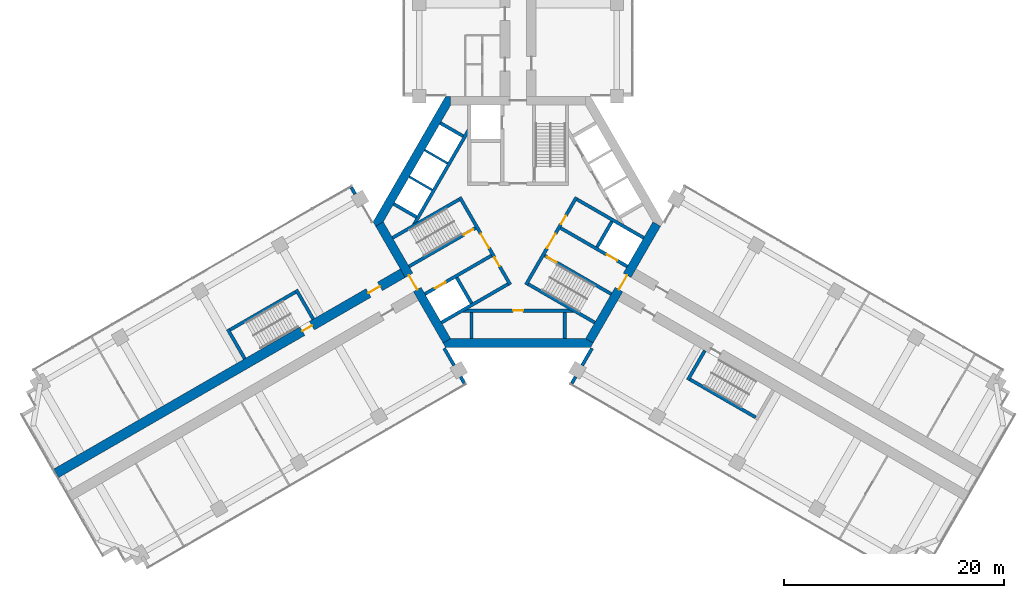
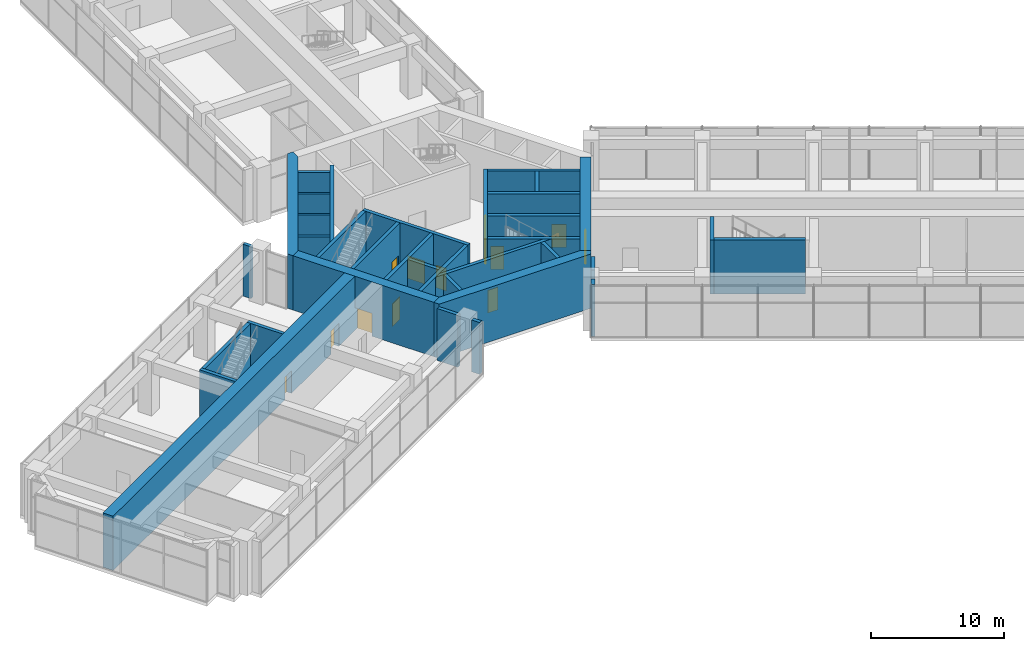
# One storey, part 16 of 20: 35 walls, 13 doors, 13 openings.
"""IFC4 building model written with IfcOpenShell, lengths in metres."""

from ifc_helpers import new_model, si_unit, direction, frame, frame_2d, origin, place, context, subcontext, project, spatial, polyline, rectangle, outline, extrude, material, layer, layer_set, type_object, element, fill, save


model = new_model("IFC4")

# Units and contexts
model_context = context("Model", 3, precision=1e-05, world=origin(), true_north=direction((0.0, 1.0)))
body_context = subcontext(model_context, "Body", "Model", "MODEL_VIEW")
ifc_project = project(units=[si_unit("LENGTHUNIT", "METRE"), si_unit("AREAUNIT", "SQUARE_METRE"), si_unit("VOLUMEUNIT", "CUBIC_METRE"), si_unit("PLANEANGLEUNIT", "RADIAN"), si_unit("MASSUNIT", "GRAM", prefix="KILO")], contexts=[model_context])

# Site, building, storey
site_placement = place(None, origin())
site = spatial("IfcSite", under=ifc_project, at=site_placement, CompositionType="ELEMENT")
building_placement = place(site_placement, origin())
building = spatial("IfcBuilding", under=site, at=building_placement, Name="Impinga Residences", CompositionType="ELEMENT")
storey_placement = place(building_placement, frame((0.0, 0.0, 101.0)))
storey = spatial("IfcBuildingStorey", under=building, at=storey_placement, Name="L24", CompositionType="ELEMENT", Elevation=101.0)

# Wall, openings, doors
ifc_material_1 = material(Name="Concrete C60/75", Category="concrete")
ifc_layer_1 = layer(ifc_material_1, 0.89990234375)
ifc_layer_set_1 = layer_set([ifc_layer_1], Name="Concrete C60/75")
wall_type_1 = type_object("IfcWallType", Name="BW2 corridor buttress wall, L24 to L44 900", PredefinedType="SHEAR", material=ifc_layer_set_1)
wall_1_placement = place(storey_placement, frame((-10.153564453125, -4.4765625, 0.0), z_axis=(0.0, 0.0, 1.0), x_axis=(-0.866025667015, -0.49999954407, 0.0)))
wall_1 = element("IfcWall", 1, at=wall_1_placement, inside=storey, type_object=wall_type_1, Name="Corridor wall BW2 WD L24", PredefinedType="SHEAR", context=body_context, shape_type="SweptSolid", body=[
    extrude(rectangle(XDim=36.837890625, YDim=0.89990234375, at=frame_2d((18.4189453125, 0.0))), origin(), (0.0, 0.0, 1.0), 5.0),
])
opening_1_placement = place(wall_1_placement, frame((9.949951171875, 0.0, 0.0)))
opening_1 = element("IfcOpeningElement", 2, at=opening_1_placement, cuts=wall_1, Name="Opening D5", PredefinedType="OPENING", context=body_context, shape_type="SweptSolid", body=[
    extrude(rectangle(XDim=1.0, YDim=2.10009765625, at=frame_2d((0.5, 1.050048828125))), frame((0.0, 0.4599609375, 0.0), z_axis=(0.0, -1.0, 0.0), x_axis=(1.0, 0.0, 0.0)), (0.0, 0.0, 1.0), 0.919921875),
])
opening_2_placement = place(wall_1_placement, frame((2.800048828125, 0.0, 0.0)))
opening_2 = element("IfcOpeningElement", 3, at=opening_2_placement, cuts=wall_1, Name="Opening D3", PredefinedType="OPENING", context=body_context, shape_type="SweptSolid", body=[
    extrude(rectangle(XDim=1.199951171875, YDim=2.10009765625, at=frame_2d((0.60009765625, 1.050048828125))), frame((0.0, 0.4599609375, 0.0), z_axis=(0.0, -1.0, 0.0), x_axis=(1.0, 0.0, 0.0)), (0.0, 0.0, 1.0), 0.919921875),
])
ifc_material_2 = material(Name="Timber door set", Category="wood")
door_type_1 = type_object("IfcDoorType", Name="D3 room door, leaf and a half 1200x2100", OperationType="DOUBLE_SWING_LEFT", PredefinedType="DOOR", material=ifc_material_2)
door_1_placement = place(opening_2_placement, origin())
door_1 = element("IfcDoor", 4, at=door_1_placement, inside=storey, type_object=door_type_1, Name="Yoga studio door L24-WF1", OperationType="DOUBLE_SWING_LEFT", OverallHeight=2.10009765625, OverallWidth=1.199951171875, PredefinedType="DOOR", context=body_context, shape_type="SweptSolid", body=[
    extrude(rectangle(XDim=1.199951171875, YDim=2.10009765625, at=frame_2d((0.60009765625, 1.050048828125))), frame((0.0, 0.02490234375, 0.0), z_axis=(0.0, -1.0, 0.0), x_axis=(1.0, 0.0, 0.0)), (0.0, 0.0, 1.0), 0.050048828125),
])
fill(opening_2, door_1)
door_type_2 = type_object("IfcDoorType", Name="D5 stair door 1000x2100", OperationType="SINGLE_SWING_LEFT", PredefinedType="DOOR", material=ifc_material_2)
door_2_placement = place(opening_1_placement, origin())
door_2 = element("IfcDoor", 5, at=door_2_placement, inside=storey, type_object=door_type_2, Name="Wing stair door W", OperationType="SINGLE_SWING_LEFT", OverallHeight=2.10009765625, OverallWidth=1.0, PredefinedType="DOOR", context=body_context, shape_type="SweptSolid", body=[
    extrude(rectangle(XDim=1.0, YDim=2.10009765625, at=frame_2d((0.5, 1.050048828125))), frame((0.0, 0.02490234375, 0.0), z_axis=(0.0, -1.0, 0.0), x_axis=(1.0, 0.0, 0.0)), (0.0, 0.0, 1.0), 0.050048828125),
])
fill(opening_1, door_2)

# Walls
ifc_material_3 = material(Name="Stone facing on blockwork", Category="masonry")
ifc_layer_2 = layer(ifc_material_3, 0.300048828125)
ifc_layer_set_2 = layer_set([ifc_layer_2], Name="EW2 external wall, stone facing on blockwork 300")
wall_type_2 = type_object("IfcWallType", Name="EW2 external wall, stone facing on blockwork 300", PredefinedType="SOLIDWALL", material=ifc_layer_set_2)
wall_2_placement = place(storey_placement, frame((-15.182373046875, 3.133544921875, 0.0), z_axis=(0.0, 0.0, 1.0), x_axis=(0.500103763521, -0.865965487599, 0.0)))
element("IfcWall", 6, at=wall_2_placement, inside=storey, type_object=wall_type_2, Name="External wall EW2 L24", PredefinedType="SOLIDWALL", context=body_context, shape_type="SweptSolid", body=[
    extrude(rectangle(XDim=0.701904296875, YDim=0.300048828125, at=frame_2d((0.35107421875, 0.0))), origin(), (0.0, 0.0, 1.0), 4.780029296875),
])
wall_3_placement = place(storey_placement, frame((4.87744140625, -14.715087890625, 0.0), z_axis=(0.0, 0.0, 1.0), x_axis=(0.500012199891, 0.86601836006, 0.0)))
element("IfcWall", 7, at=wall_3_placement, inside=storey, type_object=wall_type_2, Name="External wall EW2 L24", PredefinedType="SOLIDWALL", context=body_context, shape_type="SweptSolid", body=[
    extrude(rectangle(XDim=0.705078125, YDim=0.300048828125, at=frame_2d((0.3525390625, 0.0))), origin(), (0.0, 0.0, 1.0), 4.780029296875),
])
for number, where, z_axis, x_axis, name in (
    (8, (5.829833984375, -13.0654296875, 0.0), (0.0, 0.0, 1.0), (0.500062916607, 0.865989075817, 0.0), "External wall EW2 L24"),
    (9, (-6.72998046875, -11.506591796875, 0.0), (0.0, 0.0, 1.0), (0.500062916607, -0.865989075817, 0.0), "External wall EW2 L24"),
):
    element("IfcWall", number, at=place(storey_placement, frame(where, z_axis=z_axis, x_axis=x_axis)), inside=storey, type_object=wall_type_2, Name=name, PredefinedType="SOLIDWALL", context=body_context, shape_type="SweptSolid", body=[
        extrude(rectangle(XDim=1.800048828125, YDim=0.300048828125, at=frame_2d((0.89990234375, 0.0))), origin(), (0.0, 0.0, 1.0), 4.780029296875),
    ])
wall_4_placement = place(storey_placement, frame((-5.22998046875, -14.1044921875, 0.0), z_axis=(0.0, 0.0, 1.0), x_axis=(0.500012199891, -0.86601836006, 0.0)))
element("IfcWall", 10, at=wall_4_placement, inside=storey, type_object=wall_type_2, Name="External wall EW2 L24", PredefinedType="SOLIDWALL", context=body_context, shape_type="SweptSolid", body=[
    extrude(rectangle(XDim=0.705078125, YDim=0.300048828125, at=frame_2d((0.3525390625, 0.0))), origin(), (0.0, 0.0, 1.0), 4.780029296875),
])
ifc_layer_3 = layer(ifc_material_1, 0.300048828125)
ifc_layer_set_3 = layer_set([ifc_layer_3], Name="Concrete C60/75")
wall_type_3 = type_object("IfcWallType", Name="SE1 wing stair enclosure wall 300", PredefinedType="SOLIDWALL", material=ifc_layer_set_3)
wall_5_placement = place(storey_placement, frame((-18.649169921875, -8.86181640625, 0.0), z_axis=(0.0, 0.0, 1.0), x_axis=(-0.500026960575, 0.86600983753, 0.0)))
element("IfcWall", 11, at=wall_5_placement, inside=storey, type_object=wall_type_3, Name="Stair enclosure wall SE1 W END0 L24", PredefinedType="SOLIDWALL", context=body_context, shape_type="SweptSolid", body=[
    extrude(rectangle(XDim=3.099853515625, YDim=0.300048828125, at=frame_2d((1.5498046875, 0.0))), origin(), (0.0, 0.0, 1.0), 5.0),
])
wall_6_placement = place(storey_placement, frame((-24.884521484375, -12.4619140625, 0.0), z_axis=(0.0, 0.0, 1.0), x_axis=(-0.49999285859, 0.86602952684, 0.0)))
element("IfcWall", 12, at=wall_6_placement, inside=storey, type_object=wall_type_3, Name="Stair enclosure wall SE1 W END1 L24", PredefinedType="SOLIDWALL", context=body_context, shape_type="SweptSolid", body=[
    extrude(rectangle(XDim=3.10009765625, YDim=0.300048828125, at=frame_2d((1.550048828125, 0.0))), origin(), (0.0, 0.0, 1.0), 5.0),
])
wall_7_placement = place(storey_placement, frame((-20.254150390625, -6.382080078125, 0.0), z_axis=(0.0, 0.0, 1.0), x_axis=(-0.866020008033, -0.500009345598, 0.0)))
element("IfcWall", 13, at=wall_7_placement, inside=storey, type_object=wall_type_3, Name="Stair enclosure wall SE1 W OUT L24", PredefinedType="SOLIDWALL", context=body_context, shape_type="SweptSolid", body=[
    extrude(rectangle(XDim=6.899658203125, YDim=0.300048828125, at=frame_2d((3.44970703125, 0.0))), origin(), (0.0, 0.0, 1.0), 5.0),
])
wall_8_placement = place(storey_placement, frame((16.9990234375, -11.7197265625, 0.0), z_axis=(0.0, 0.0, 1.0), x_axis=(-0.499967891604, -0.866043940782, 0.0)))
element("IfcWall", 14, at=wall_8_placement, inside=storey, type_object=wall_type_3, Name="Stair enclosure wall SE1 E END0 L24", PredefinedType="SOLIDWALL", context=body_context, shape_type="SweptSolid", body=[
    extrude(rectangle(XDim=3.099853515625, YDim=0.300048828125, at=frame_2d((1.5498046875, 0.0))), origin(), (0.0, 0.0, 1.0), 5.0),
])
wall_9_placement = place(storey_placement, frame((15.654052734375, -14.349365234375, 0.0), z_axis=(0.0, 0.0, 1.0), x_axis=(0.866013532718, -0.500020560727, 0.0)))
element("IfcWall", 15, at=wall_9_placement, inside=storey, type_object=wall_type_3, Name="Stair enclosure wall SE1 E OUT L24", PredefinedType="SOLIDWALL", context=body_context, shape_type="SweptSolid", body=[
    extrude(rectangle(XDim=6.900146484375, YDim=0.300048828125, at=frame_2d((3.4501953125, 0.0))), origin(), (0.0, 0.0, 1.0), 5.0),
])

# Wall, opening, door
ifc_layer_4 = layer(ifc_material_1, 0.800048828125)
ifc_layer_set_4 = layer_set([ifc_layer_4], Name="Concrete C60/75")
wall_type_4 = type_object("IfcWallType", Name="SW2 core wall 800", PredefinedType="SHEAR", material=ifc_layer_set_4)
wall_10_placement = place(storey_placement, frame((-6.484619140625, -10.83154296875, 0.0), z_axis=(0.0, 0.0, 1.0), x_axis=(-0.499986991068, 0.866032914365, 0.0)))
wall_10 = element("IfcWall", 16, at=wall_10_placement, inside=storey, type_object=wall_type_4, Name="Core wall SW2 W:FACE L24", PredefinedType="SHEAR", context=body_context, shape_type="SweptSolid", body=[
    extrude(rectangle(XDim=12.276123046875, YDim=0.800048828125, at=frame_2d((6.13818359375, 0.0))), origin(), (0.0, 0.0, 1.0), 5.0),
])
opening_3_placement = place(wall_10_placement, frame((5.38818359375, 0.0, 0.0)))
opening_3 = element("IfcOpeningElement", 17, at=opening_3_placement, cuts=wall_10, Name="Opening D4", PredefinedType="OPENING", context=body_context, shape_type="SweptSolid", body=[
    extrude(rectangle(XDim=1.5, YDim=2.10009765625, at=frame_2d((0.75, 1.050048828125))), frame((0.0, 0.409912109375, 0.0), z_axis=(0.0, -1.0, 0.0), x_axis=(1.0, 0.0, 0.0)), (0.0, 0.0, 1.0), 0.820068359375),
])
door_type_3 = type_object("IfcDoorType", Name="D4 lobby door pair 1500x2100", OperationType="DOUBLE_DOOR_DOUBLE_SWING", PredefinedType="DOOR", material=ifc_material_2)
door_3_placement = place(opening_3_placement, origin())
door_3 = element("IfcDoor", 18, at=door_3_placement, inside=storey, type_object=door_type_3, Name="Lobby door W", OperationType="DOUBLE_DOOR_DOUBLE_SWING", OverallHeight=2.10009765625, OverallWidth=1.5, PredefinedType="DOOR", context=body_context, shape_type="SweptSolid", body=[
    extrude(rectangle(XDim=1.5, YDim=2.10009765625, at=frame_2d((0.75, 1.050048828125))), frame((0.0, 0.02490234375, 0.0), z_axis=(0.0, -1.0, 0.0), x_axis=(1.0, 0.0, 0.0)), (0.0, 0.0, 1.0), 0.050048828125),
])
fill(opening_3, door_3)

wall_11_placement = place(storey_placement, frame((12.62255859375, -0.199951171875, 0.0), z_axis=(0.0, 0.0, 1.0), x_axis=(-0.499986991068, -0.866032914365, 0.0)))
wall_11 = element("IfcWall", 19, at=wall_11_placement, inside=storey, type_object=wall_type_4, Name="Core wall SW2 E:FACE L24", PredefinedType="SHEAR", context=body_context, shape_type="SweptSolid", body=[
    extrude(rectangle(XDim=12.276123046875, YDim=0.800048828125, at=frame_2d((6.13818359375, 0.0))), origin(), (0.0, 0.0, 1.0), 5.0),
])
opening_4_placement = place(wall_11_placement, frame((5.38818359375, 0.0, 0.0)))
opening_4 = element("IfcOpeningElement", 20, at=opening_4_placement, cuts=wall_11, Name="Opening D4", PredefinedType="OPENING", context=body_context, shape_type="SweptSolid", body=[
    extrude(rectangle(XDim=1.5, YDim=2.10009765625, at=frame_2d((0.75, 1.050048828125))), frame((0.0, 0.409912109375, 0.0), z_axis=(0.0, -1.0, 0.0), x_axis=(1.0, 0.0, 0.0)), (0.0, 0.0, 1.0), 0.820068359375),
])
door_4_placement = place(opening_4_placement, origin())
door_4 = element("IfcDoor", 21, at=door_4_placement, inside=storey, type_object=door_type_3, Name="Lobby door E", OperationType="DOUBLE_DOOR_DOUBLE_SWING", OverallHeight=2.10009765625, OverallWidth=1.5, PredefinedType="DOOR", context=body_context, shape_type="SweptSolid", body=[
    extrude(rectangle(XDim=1.5, YDim=2.10009765625, at=frame_2d((0.75, 1.050048828125))), frame((0.0, 0.02490234375, 0.0), z_axis=(0.0, -1.0, 0.0), x_axis=(1.0, 0.0, 0.0)), (0.0, 0.0, 1.0), 0.050048828125),
])
fill(opening_4, door_4)

# Walls
wall_12_placement = place(storey_placement, origin())
element("IfcWall", 22, at=wall_12_placement, inside=storey, type_object=wall_type_4, Name="Core wall SW2 N:EXPOSED L24", PredefinedType="SHEAR", context=body_context, shape_type="SweptSolid", body=[
    extrude(outline(polyline([(-6.60009765625, -11.431640625), (6.60009765625, -11.431640625), (6.8310546875, -11.031494140625), (6.13818359375, -10.631591796875), (-6.13818359375, -10.631591796875), (-6.8310546875, -11.031494140625), (-6.60009765625, -11.431640625)])), origin(), (0.0, 0.0, 1.0), 5.0),
])
wall_13_placement = place(storey_placement, origin())
element("IfcWall", 23, at=wall_13_placement, inside=storey, type_object=wall_type_4, Name="Core wall SW2 E:EXPOSED L24", PredefinedType="SHEAR", context=body_context, shape_type="SweptSolid", body=[
    extrude(outline(polyline([(-6.60009765625, 11.431640625), (-13.199951171875, 0.0), (-12.968994140625, -0.39990234375), (-12.276123046875, 0.0), (-6.13818359375, 10.631591796875), (-6.13818359375, 11.431640625), (-6.60009765625, 11.431640625)])), origin(), (0.0, 0.0, 1.0), 5.0),
])

# Wall, openings, doors
ifc_material_4 = material(Name="Concrete C70/85", Category="concrete")
ifc_layer_5 = layer(ifc_material_4, 0.300048828125)
ifc_layer_set_5 = layer_set([ifc_layer_5], Name="Concrete C70/85")
wall_type_5 = type_object("IfcWallType", Name="SW5 core inner wall, stairs, shafts and lobbies 300", PredefinedType="SHEAR", material=ifc_layer_set_5)
wall_14_placement = place(storey_placement, frame((-0.7138671875, -5.7236328125, 0.0), z_axis=(0.0, 0.0, 1.0), x_axis=(-0.499995050369, 0.866028261437, 0.0)))
wall_14 = element("IfcWall", 24, at=wall_14_placement, inside=storey, type_object=wall_type_5, Name="Core wall SW5 W:ZONE L24", PredefinedType="SHEAR", context=body_context, shape_type="SweptSolid", body=[
    extrude(rectangle(XDim=9.19970703125, YDim=0.300048828125, at=frame_2d((4.599853515625, 0.0))), origin(), (0.0, 0.0, 1.0), 5.0),
])
opening_5_placement = place(wall_14_placement, frame((3.85009765625, 0.0, 0.0)))
opening_5 = element("IfcOpeningElement", 25, at=opening_5_placement, cuts=wall_14, Name="Opening D4", PredefinedType="OPENING", context=body_context, shape_type="SweptSolid", body=[
    extrude(rectangle(XDim=1.5, YDim=2.10009765625, at=frame_2d((0.75, 1.050048828125))), frame((0.0, 0.159912109375, 0.0), z_axis=(0.0, -1.0, 0.0), x_axis=(1.0, 0.0, 0.0)), (0.0, 0.0, 1.0), 0.320068359375),
])
opening_6_placement = place(wall_14_placement, frame((1.949951171875, 0.0, 0.0)))
opening_6 = element("IfcOpeningElement", 26, at=opening_6_placement, cuts=wall_14, Name="Opening D6", PredefinedType="OPENING", context=body_context, shape_type="SweptSolid", body=[
    extrude(rectangle(XDim=0.89990234375, YDim=2.10009765625, at=frame_2d((0.449951171875, 1.050048828125))), frame((0.0, 0.159912109375, 0.0), z_axis=(0.0, -1.0, 0.0), x_axis=(1.0, 0.0, 0.0)), (0.0, 0.0, 1.0), 0.320068359375),
])
door_5_placement = place(opening_5_placement, origin())
door_5 = element("IfcDoor", 27, at=door_5_placement, inside=storey, type_object=door_type_3, Name="Firefighting lobby door W", OperationType="DOUBLE_DOOR_DOUBLE_SWING", OverallHeight=2.10009765625, OverallWidth=1.5, PredefinedType="DOOR", context=body_context, shape_type="SweptSolid", body=[
    extrude(rectangle(XDim=1.5, YDim=2.10009765625, at=frame_2d((0.75, 1.050048828125))), frame((0.0, 0.02490234375, 0.0), z_axis=(0.0, -1.0, 0.0), x_axis=(1.0, 0.0, 0.0)), (0.0, 0.0, 1.0), 0.050048828125),
])
fill(opening_5, door_5)
door_type_4 = type_object("IfcDoorType", Name="D6 riser and store door 900x2100", OperationType="SINGLE_SWING_LEFT", PredefinedType="DOOR", material=ifc_material_2)
door_6_placement = place(opening_6_placement, origin())
door_6 = element("IfcDoor", 28, at=door_6_placement, inside=storey, type_object=door_type_4, Name="Riser door W", OperationType="SINGLE_SWING_LEFT", OverallHeight=2.10009765625, OverallWidth=0.89990234375, PredefinedType="DOOR", context=body_context, shape_type="SweptSolid", body=[
    extrude(rectangle(XDim=0.89990234375, YDim=2.10009765625, at=frame_2d((0.449951171875, 1.050048828125))), frame((0.0, 0.02490234375, 0.0), z_axis=(0.0, -1.0, 0.0), x_axis=(1.0, 0.0, 0.0)), (0.0, 0.0, 1.0), 0.050048828125),
])
fill(opening_6, door_6)

# Wall, opening, door
wall_15_placement = place(storey_placement, frame((-3.86865234375, -0.559326171875, 0.0), z_axis=(0.0, 0.0, 1.0), x_axis=(-0.866026480128, -0.499998135713, 0.0)))
wall_15 = element("IfcWall", 29, at=wall_15_placement, inside=storey, type_object=wall_type_5, Name="Core wall SW5 W:ST-IN L24", PredefinedType="SHEAR", context=body_context, shape_type="SweptSolid", body=[
    extrude(rectangle(XDim=7.00146484375, YDim=0.300048828125, at=frame_2d((3.500732421875, 0.0))), origin(), (0.0, 0.0, 1.0), 5.0),
])
opening_7_placement = place(wall_15_placement, frame((0.25, 0.0, 0.0)))
opening_7 = element("IfcOpeningElement", 30, at=opening_7_placement, cuts=wall_15, Name="Opening D5", PredefinedType="OPENING", context=body_context, shape_type="SweptSolid", body=[
    extrude(rectangle(XDim=1.0, YDim=2.10009765625, at=frame_2d((0.5, 1.050048828125))), frame((0.0, 0.159912109375, 0.0), z_axis=(0.0, -1.0, 0.0), x_axis=(1.0, 0.0, 0.0)), (0.0, 0.0, 1.0), 0.320068359375),
])
door_7_placement = place(opening_7_placement, origin())
door_7 = element("IfcDoor", 31, at=door_7_placement, inside=storey, type_object=door_type_2, Name="Stair door W", OperationType="SINGLE_SWING_LEFT", OverallHeight=2.10009765625, OverallWidth=1.0, PredefinedType="DOOR", context=body_context, shape_type="SweptSolid", body=[
    extrude(rectangle(XDim=1.0, YDim=2.10009765625, at=frame_2d((0.5, 1.050048828125))), frame((0.0, 0.02490234375, 0.0), z_axis=(0.0, -1.0, 0.0), x_axis=(1.0, 0.0, 0.0)), (0.0, 0.0, 1.0), 0.050048828125),
])
fill(opening_7, door_7)

# Wall
wall_16_placement = place(storey_placement, frame((-5.36865234375, 2.038818359375, 0.0), z_axis=(0.0, 0.0, 1.0), x_axis=(-0.866026480128, -0.499998135713, 0.0)))
element("IfcWall", 32, at=wall_16_placement, inside=storey, type_object=wall_type_5, Name="Core wall SW5 W:ST-OUT L24", PredefinedType="SHEAR", context=body_context, shape_type="SweptSolid", body=[
    extrude(rectangle(XDim=7.00146484375, YDim=0.300048828125, at=frame_2d((3.500732421875, 0.0))), origin(), (0.0, 0.0, 1.0), 5.0),
])

# Wall, opening, door
wall_17_placement = place(storey_placement, frame((-2.418701171875, -3.07080078125, 0.0), z_axis=(0.0, 0.0, 1.0), x_axis=(-0.866026480128, -0.499998135713, 0.0)))
wall_17 = element("IfcWall", 33, at=wall_17_placement, inside=storey, type_object=wall_type_5, Name="Core wall SW5 W:FF-IN L24", PredefinedType="SHEAR", context=body_context, shape_type="SweptSolid", body=[
    extrude(rectangle(XDim=7.00146484375, YDim=0.300048828125, at=frame_2d((3.500732421875, 0.0))), origin(), (0.0, 0.0, 1.0), 5.0),
])
opening_8_placement = place(wall_17_placement, frame((4.85009765625, 0.0, 0.0)))
opening_8 = element("IfcOpeningElement", 34, at=opening_8_placement, cuts=wall_17, Name="Opening LD2", PredefinedType="OPENING", context=body_context, shape_type="SweptSolid", body=[
    extrude(rectangle(XDim=1.10009765625, YDim=2.10009765625, at=frame_2d((0.550048828125, 1.050048828125))), frame((0.0, 0.159912109375, 0.0), z_axis=(0.0, -1.0, 0.0), x_axis=(1.0, 0.0, 0.0)), (0.0, 0.0, 1.0), 0.320068359375),
])
ifc_material_5 = material(Name="Steel lift landing door", Category="steel")
door_type_5 = type_object("IfcDoorType", Name="LD2 firefighting lift landing door 1100x2100", OperationType="DOUBLE_DOOR_SLIDING", PredefinedType="DOOR", material=ifc_material_5)
door_8_placement = place(opening_8_placement, origin())
door_8 = element("IfcDoor", 35, at=door_8_placement, inside=storey, type_object=door_type_5, Name="Firefighting lift landing door F2", OperationType="DOUBLE_DOOR_SLIDING", OverallHeight=2.10009765625, OverallWidth=1.10009765625, PredefinedType="DOOR", context=body_context, shape_type="SweptSolid", body=[
    extrude(rectangle(XDim=1.10009765625, YDim=2.10009765625, at=frame_2d((0.550048828125, 1.050048828125))), frame((0.0, 0.02490234375, 0.0), z_axis=(0.0, -1.0, 0.0), x_axis=(1.0, 0.0, 0.0)), (0.0, 0.0, 1.0), 0.050048828125),
])
fill(opening_8, door_8)

# Walls
wall_18_placement = place(storey_placement, frame((-0.918701171875, -5.668701171875, 0.0), z_axis=(0.0, 0.0, 1.0), x_axis=(-0.866011380966, -0.500024287448, 0.0)))
element("IfcWall", 36, at=wall_18_placement, inside=storey, type_object=wall_type_5, Name="Core wall SW5 W:FF-OUT L24", PredefinedType="SHEAR", context=body_context, shape_type="SweptSolid", body=[
    extrude(rectangle(XDim=7.001708984375, YDim=0.300048828125, at=frame_2d((3.5009765625, 0.0))), origin(), (0.0, 0.0, 1.0), 5.0),
])
wall_19_placement = place(storey_placement, frame((-4.2412109375, -7.413818359375, 0.0), z_axis=(0.0, 0.0, 1.0), x_axis=(-0.500048589285, 0.86599734893, 0.0)))
element("IfcWall", 37, at=wall_19_placement, inside=storey, type_object=wall_type_5, Name="Core wall SW5 W:FF-RS L24", PredefinedType="SHEAR", context=body_context, shape_type="SweptSolid", body=[
    extrude(rectangle(XDim=2.699951171875, YDim=0.300048828125, at=frame_2d((1.35009765625, 0.0))), origin(), (0.0, 0.0, 1.0), 5.0),
])

# Wall, openings, doors
wall_20_placement = place(storey_placement, frame((5.313720703125, 2.24365234375, 0.0), z_axis=(0.0, 0.0, 1.0), x_axis=(-0.499995050369, -0.866028261437, 0.0)))
wall_20 = element("IfcWall", 38, at=wall_20_placement, inside=storey, type_object=wall_type_5, Name="Core wall SW5 E:ZONE L24", PredefinedType="SHEAR", context=body_context, shape_type="SweptSolid", body=[
    extrude(rectangle(XDim=9.19970703125, YDim=0.300048828125, at=frame_2d((4.599853515625, 0.0))), origin(), (0.0, 0.0, 1.0), 5.0),
])
opening_9_placement = place(wall_20_placement, frame((3.85009765625, 0.0, 0.0)))
opening_9 = element("IfcOpeningElement", 39, at=opening_9_placement, cuts=wall_20, Name="Opening D4", PredefinedType="OPENING", context=body_context, shape_type="SweptSolid", body=[
    extrude(rectangle(XDim=1.5, YDim=2.10009765625, at=frame_2d((0.75, 1.050048828125))), frame((0.0, 0.159912109375, 0.0), z_axis=(0.0, -1.0, 0.0), x_axis=(1.0, 0.0, 0.0)), (0.0, 0.0, 1.0), 0.320068359375),
])
opening_10_placement = place(wall_20_placement, frame((1.949951171875, 0.0, 0.0)))
opening_10 = element("IfcOpeningElement", 40, at=opening_10_placement, cuts=wall_20, Name="Opening D6", PredefinedType="OPENING", context=body_context, shape_type="SweptSolid", body=[
    extrude(rectangle(XDim=0.89990234375, YDim=2.10009765625, at=frame_2d((0.449951171875, 1.050048828125))), frame((0.0, 0.159912109375, 0.0), z_axis=(0.0, -1.0, 0.0), x_axis=(1.0, 0.0, 0.0)), (0.0, 0.0, 1.0), 0.320068359375),
])
door_9_placement = place(opening_9_placement, origin())
door_9 = element("IfcDoor", 41, at=door_9_placement, inside=storey, type_object=door_type_3, Name="Firefighting lobby door E", OperationType="DOUBLE_DOOR_DOUBLE_SWING", OverallHeight=2.10009765625, OverallWidth=1.5, PredefinedType="DOOR", context=body_context, shape_type="SweptSolid", body=[
    extrude(rectangle(XDim=1.5, YDim=2.10009765625, at=frame_2d((0.75, 1.050048828125))), frame((0.0, 0.02490234375, 0.0), z_axis=(0.0, -1.0, 0.0), x_axis=(1.0, 0.0, 0.0)), (0.0, 0.0, 1.0), 0.050048828125),
])
fill(opening_9, door_9)
door_10_placement = place(opening_10_placement, origin())
door_10 = element("IfcDoor", 42, at=door_10_placement, inside=storey, type_object=door_type_4, Name="Riser door E", OperationType="SINGLE_SWING_LEFT", OverallHeight=2.10009765625, OverallWidth=0.89990234375, PredefinedType="DOOR", context=body_context, shape_type="SweptSolid", body=[
    extrude(rectangle(XDim=0.89990234375, YDim=2.10009765625, at=frame_2d((0.449951171875, 1.050048828125))), frame((0.0, 0.02490234375, 0.0), z_axis=(0.0, -1.0, 0.0), x_axis=(1.0, 0.0, 0.0)), (0.0, 0.0, 1.0), 0.050048828125),
])
fill(opening_10, door_10)

# Wall, opening, door
wall_21_placement = place(storey_placement, frame((2.418701171875, -3.07080078125, 0.0), z_axis=(0.0, 0.0, 1.0), x_axis=(0.866026480128, -0.499998135713, 0.0)))
wall_21 = element("IfcWall", 43, at=wall_21_placement, inside=storey, type_object=wall_type_5, Name="Core wall SW5 E:ST-IN L24", PredefinedType="SHEAR", context=body_context, shape_type="SweptSolid", body=[
    extrude(rectangle(XDim=7.00146484375, YDim=0.300048828125, at=frame_2d((3.500732421875, 0.0))), origin(), (0.0, 0.0, 1.0), 5.0),
])
opening_11_placement = place(wall_21_placement, frame((0.25, 0.0, 0.0)))
opening_11 = element("IfcOpeningElement", 44, at=opening_11_placement, cuts=wall_21, Name="Opening D5", PredefinedType="OPENING", context=body_context, shape_type="SweptSolid", body=[
    extrude(rectangle(XDim=1.0, YDim=2.10009765625, at=frame_2d((0.5, 1.050048828125))), frame((0.0, 0.159912109375, 0.0), z_axis=(0.0, -1.0, 0.0), x_axis=(1.0, 0.0, 0.0)), (0.0, 0.0, 1.0), 0.320068359375),
])
door_11_placement = place(opening_11_placement, origin())
door_11 = element("IfcDoor", 45, at=door_11_placement, inside=storey, type_object=door_type_2, Name="Stair door E", OperationType="SINGLE_SWING_LEFT", OverallHeight=2.10009765625, OverallWidth=1.0, PredefinedType="DOOR", context=body_context, shape_type="SweptSolid", body=[
    extrude(rectangle(XDim=1.0, YDim=2.10009765625, at=frame_2d((0.5, 1.050048828125))), frame((0.0, 0.02490234375, 0.0), z_axis=(0.0, -1.0, 0.0), x_axis=(1.0, 0.0, 0.0)), (0.0, 0.0, 1.0), 0.050048828125),
])
fill(opening_11, door_11)

# Wall
wall_22_placement = place(storey_placement, frame((0.918701171875, -5.668701171875, 0.0), z_axis=(0.0, 0.0, 1.0), x_axis=(0.866011380966, -0.500024287448, 0.0)))
element("IfcWall", 46, at=wall_22_placement, inside=storey, type_object=wall_type_5, Name="Core wall SW5 E:ST-OUT L24", PredefinedType="SHEAR", context=body_context, shape_type="SweptSolid", body=[
    extrude(rectangle(XDim=7.001708984375, YDim=0.300048828125, at=frame_2d((3.5009765625, 0.0))), origin(), (0.0, 0.0, 1.0), 5.0),
])

# Wall, opening, door
wall_23_placement = place(storey_placement, frame((3.86865234375, -0.559326171875, 0.0), z_axis=(0.0, 0.0, 1.0), x_axis=(0.866026480128, -0.499998135713, 0.0)))
wall_23 = element("IfcWall", 47, at=wall_23_placement, inside=storey, type_object=wall_type_5, Name="Core wall SW5 E:FF-IN L24", PredefinedType="SHEAR", context=body_context, shape_type="SweptSolid", body=[
    extrude(rectangle(XDim=7.00146484375, YDim=0.300048828125, at=frame_2d((3.500732421875, 0.0))), origin(), (0.0, 0.0, 1.0), 5.0),
])
opening_12_placement = place(wall_23_placement, frame((4.85009765625, 0.0, 0.0)))
opening_12 = element("IfcOpeningElement", 48, at=opening_12_placement, cuts=wall_23, Name="Opening LD2", PredefinedType="OPENING", context=body_context, shape_type="SweptSolid", body=[
    extrude(rectangle(XDim=1.10009765625, YDim=2.10009765625, at=frame_2d((0.550048828125, 1.050048828125))), frame((0.0, 0.159912109375, 0.0), z_axis=(0.0, -1.0, 0.0), x_axis=(1.0, 0.0, 0.0)), (0.0, 0.0, 1.0), 0.320068359375),
])
door_12_placement = place(opening_12_placement, origin())
door_12 = element("IfcDoor", 49, at=door_12_placement, inside=storey, type_object=door_type_5, Name="Firefighting lift landing door F3", OperationType="DOUBLE_DOOR_SLIDING", OverallHeight=2.10009765625, OverallWidth=1.10009765625, PredefinedType="DOOR", context=body_context, shape_type="SweptSolid", body=[
    extrude(rectangle(XDim=1.10009765625, YDim=2.10009765625, at=frame_2d((0.550048828125, 1.050048828125))), frame((0.0, 0.02490234375, 0.0), z_axis=(0.0, -1.0, 0.0), x_axis=(1.0, 0.0, 0.0)), (0.0, 0.0, 1.0), 0.050048828125),
])
fill(opening_12, door_12)

# Walls
wall_24_placement = place(storey_placement, frame((5.36865234375, 2.038818359375, 0.0), z_axis=(0.0, 0.0, 1.0), x_axis=(0.866026480128, -0.499998135713, 0.0)))
element("IfcWall", 50, at=wall_24_placement, inside=storey, type_object=wall_type_5, Name="Core wall SW5 E:FF-OUT L24", PredefinedType="SHEAR", context=body_context, shape_type="SweptSolid", body=[
    extrude(rectangle(XDim=7.00146484375, YDim=0.300048828125, at=frame_2d((3.500732421875, 0.0))), origin(), (0.0, 0.0, 1.0), 5.0),
])
wall_25_placement = place(storey_placement, frame((8.541259765625, 0.033935546875, 0.0), z_axis=(0.0, 0.0, 1.0), x_axis=(-0.50000943426, -0.866019956843, 0.0)))
element("IfcWall", 51, at=wall_25_placement, inside=storey, type_object=wall_type_5, Name="Core wall SW5 E:FF-RS L24", PredefinedType="SHEAR", context=body_context, shape_type="SweptSolid", body=[
    extrude(rectangle(XDim=2.7001953125, YDim=0.300048828125, at=frame_2d((1.35009765625, 0.0))), origin(), (0.0, 0.0, 1.0), 5.0),
])

# Wall, opening, door
wall_26_placement = place(storey_placement, frame((5.09765625, -8.08154296875, 0.0), z_axis=(0.0, 0.0, 1.0), x_axis=(-1.0, 0.0, 0.0)))
wall_26 = element("IfcWall", 52, at=wall_26_placement, inside=storey, type_object=wall_type_5, Name="Core wall SW5 N:BANK-FRONT L24", PredefinedType="SHEAR", context=body_context, shape_type="SweptSolid", body=[
    extrude(rectangle(XDim=10.1953125, YDim=0.300048828125, at=frame_2d((5.09765625, 0.0))), origin(), (0.0, 0.0, 1.0), 5.0),
])
opening_13_placement = place(wall_26_placement, frame((4.647705078125, 0.0, 0.0)))
opening_13 = element("IfcOpeningElement", 53, at=opening_13_placement, cuts=wall_26, Name="Opening D6", PredefinedType="OPENING", context=body_context, shape_type="SweptSolid", body=[
    extrude(rectangle(XDim=0.89990234375, YDim=2.10009765625, at=frame_2d((0.449951171875, 1.050048828125))), frame((0.0, 0.159912109375, 0.0), z_axis=(0.0, -1.0, 0.0), x_axis=(1.0, 0.0, 0.0)), (0.0, 0.0, 1.0), 0.320068359375),
])
door_13_placement = place(opening_13_placement, origin())
door_13 = element("IfcDoor", 54, at=door_13_placement, inside=storey, type_object=door_type_4, Name="Store door", OperationType="SINGLE_SWING_LEFT", OverallHeight=2.10009765625, OverallWidth=0.89990234375, PredefinedType="DOOR", context=body_context, shape_type="SweptSolid", body=[
    extrude(rectangle(XDim=0.89990234375, YDim=2.10009765625, at=frame_2d((0.449951171875, 1.050048828125))), frame((0.0, 0.02490234375, 0.0), z_axis=(0.0, -1.0, 0.0), x_axis=(1.0, 0.0, 0.0)), (0.0, 0.0, 1.0), 0.050048828125),
])
fill(opening_13, door_13)

# Walls
for number, where, z_axis, x_axis, name in (
    (55, (4.25, -8.2314453125, 0.0), (0.0, 0.0, 1.0), (0.0, -1.0, 0.0), "Core wall SW5 N:BANK-L L24"),
    (56, (-4.25, -8.2314453125, 0.0), (0.0, 0.0, 1.0), (0.0, -1.0, 0.0), "Core wall SW5 N:BANK-R L24"),
):
    element("IfcWall", number, at=place(storey_placement, frame(where, z_axis=z_axis, x_axis=x_axis)), inside=storey, type_object=wall_type_5, Name=name, PredefinedType="SHEAR", context=body_context, shape_type="SweptSolid", body=[
        extrude(rectangle(XDim=2.400146484375, YDim=0.300048828125, at=frame_2d((1.2001953125, 0.0))), origin(), (0.0, 0.0, 1.0), 5.0),
    ])
wall_27_placement = place(storey_placement, frame((-9.547607421875, -0.3740234375, 0.0), z_axis=(0.0, 0.0, 1.0), x_axis=(0.500002290144, 0.866024081565, 0.0)))
element("IfcWall", 57, at=wall_27_placement, inside=storey, type_object=wall_type_5, Name="Core wall SW5 E:BANK-FRONT L24", PredefinedType="SHEAR", context=body_context, shape_type="SweptSolid", body=[
    extrude(rectangle(XDim=10.1953125, YDim=0.300048828125, at=frame_2d((5.09765625, 0.0))), origin(), (0.0, 0.0, 1.0), 5.0),
])
for number, where, z_axis, x_axis, name in (
    (58, (-9.253662109375, 0.43505859375, 0.0), (0.0, 0.0, 1.0), (-0.866006032174, 0.500033551112, 0.0), "Core wall SW5 E:BANK-L L24"),
    (59, (-5.003662109375, 7.79638671875, 0.0), (0.0, 0.0, 1.0), (-0.866050077142, 0.499957262057, 0.0), "Core wall SW5 E:BANK-R L24"),
):
    element("IfcWall", number, at=place(storey_placement, frame(where, z_axis=z_axis, x_axis=x_axis)), inside=storey, type_object=wall_type_5, Name=name, PredefinedType="SHEAR", context=body_context, shape_type="SweptSolid", body=[
        extrude(rectangle(XDim=2.400146484375, YDim=0.300048828125, at=frame_2d((1.2001953125, 0.0))), origin(), (0.0, 0.0, 1.0), 5.0),
    ])
ifc_layer_6 = layer(ifc_material_4, 0.199951171875)
ifc_layer_set_6 = layer_set([ifc_layer_6], Name="Concrete C70/85")
wall_type_6 = type_object("IfcWallType", Name="SW6 lift shaft divider wall 200", PredefinedType="SHEAR", material=ifc_layer_set_6)
wall_28_placement = place(storey_placement, frame((-7.82861328125, 2.9033203125, 0.0), z_axis=(0.0, 0.0, 1.0), x_axis=(-0.866050077142, 0.499957262057, 0.0)))
element("IfcWall", 60, at=wall_28_placement, inside=storey, type_object=wall_type_6, Name="Core wall SW6 E:BANK-D1 L24", PredefinedType="SHEAR", context=body_context, shape_type="SweptSolid", body=[
    extrude(rectangle(XDim=2.400146484375, YDim=0.199951171875, at=frame_2d((1.2001953125, 0.0))), origin(), (0.0, 0.0, 1.0), 5.0),
])
wall_29_placement = place(storey_placement, frame((-6.4287109375, 5.328125, 0.0), z_axis=(0.0, 0.0, 1.0), x_axis=(-0.865980596518, 0.500077600433, 0.0)))
element("IfcWall", 61, at=wall_29_placement, inside=storey, type_object=wall_type_6, Name="Core wall SW6 E:BANK-D2 L24", PredefinedType="SHEAR", context=body_context, shape_type="SweptSolid", body=[
    extrude(rectangle(XDim=2.39990234375, YDim=0.199951171875, at=frame_2d((1.199951171875, 0.0))), origin(), (0.0, 0.0, 1.0), 5.0),
])

save(model, "model.ifc")
